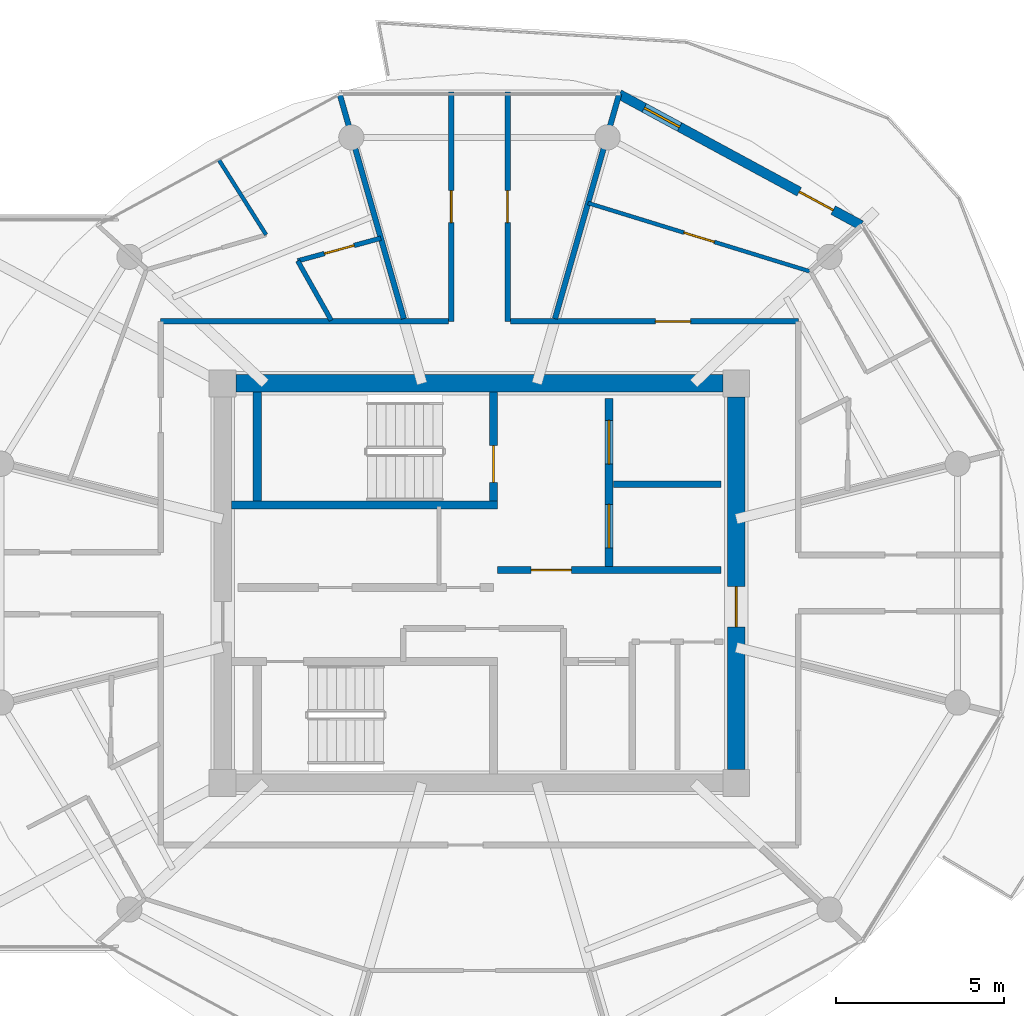
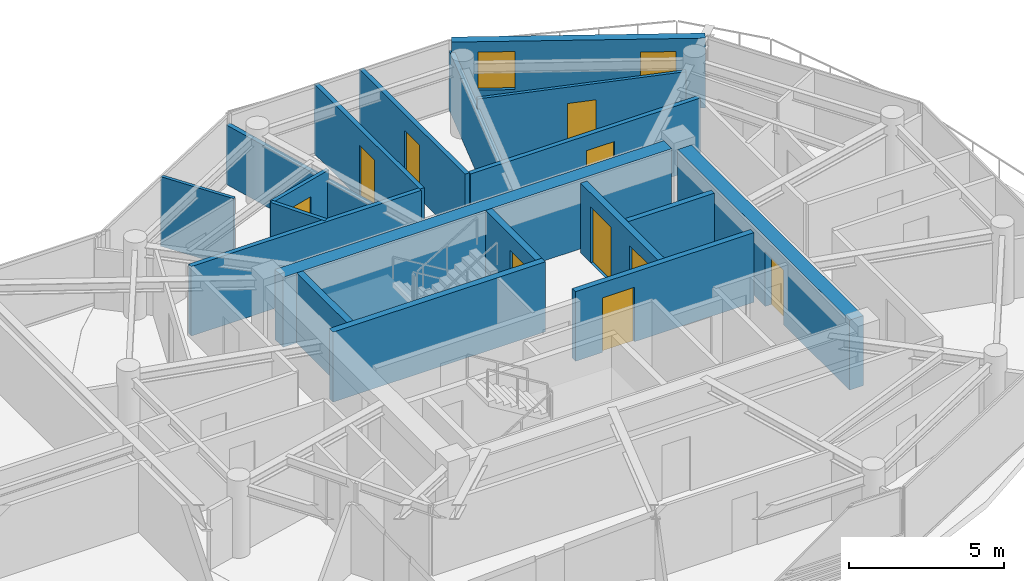
# One storey, part 18 of 23: 19 walls, 11 doors, 1 window, 12 openings.
"""IFC4 building model written with IfcOpenShell, lengths in metres."""

from ifc_helpers import new_model, si_unit, direction, frame, frame_2d, origin, place, context, subcontext, project, spatial, rectangle, extrude, source, transform, mapped, material, layer, layer_set, type_object, type_shapes, element, fill, save


model = new_model("IFC4")

# Units and contexts
model_context = context("Model", 3, precision=1e-05, world=origin(), true_north=direction((0.0, 1.0)))
body_context = subcontext(model_context, "Body", "Model", "MODEL_VIEW")
ifc_project = project(units=[si_unit("LENGTHUNIT", "METRE"), si_unit("AREAUNIT", "SQUARE_METRE"), si_unit("VOLUMEUNIT", "CUBIC_METRE"), si_unit("PLANEANGLEUNIT", "RADIAN"), si_unit("MASSUNIT", "GRAM", prefix="KILO")], contexts=[model_context])

# Site, building, storey
site_placement = place(None, origin())
site = spatial("IfcSite", under=ifc_project, at=site_placement, CompositionType="ELEMENT")
building_placement = place(site_placement, origin())
building = spatial("IfcBuilding", under=site, at=building_placement, Name="Norrkilde Senior Care Towers", CompositionType="ELEMENT")
storey_placement = place(building_placement, frame((0.0, 0.0, 220.0)))
storey = spatial("IfcBuildingStorey", under=building, at=storey_placement, Name="L68", CompositionType="ELEMENT", Elevation=220.0)

# Wall
ifc_material_1 = material(Name="Concrete C50/60", Category="concrete")
ifc_layer_1 = layer(ifc_material_1, 0.52001953125)
ifc_layer_set_1 = layer_set([ifc_layer_1], Name="Concrete C50/60")
wall_type_1 = type_object("IfcWallType", Name="Core Shear Wall Z4 520", PredefinedType="SHEAR", material=ifc_layer_set_1)
shared_shape_1 = source(origin(), body_context, "Body", "SweptSolid", [
    extrude(rectangle(XDim=14.5, YDim=0.52001953125, at=frame_2d((7.25, 0.0))), origin(), (0.0, 0.0, 1.0), 2.760009765625),
])
wall_1_placement = place(storey_placement, frame((20.75, 5.949951171875, 0.0), z_axis=(0.0, 0.0, 1.0), x_axis=(1.0, 0.0, 0.0)))
element("IfcWall", 1, at=wall_1_placement, inside=storey, type_object=wall_type_1, Name="L68 Core E North Shear Wall", PredefinedType="SHEAR", context=body_context, shape_type="MappedRepresentation", body=[
    mapped(shared_shape_1, transform((0.0, 0.0, 0.0), x_axis=(1.0, 0.0, 0.0), y_axis=(0.0, 1.0, 0.0), z_axis=(0.0, 0.0, 1.0), scale=1.0)),
])

# Wall, opening, door
shared_shape_2 = source(origin(), body_context, "Body", "SweptSolid", [
    extrude(rectangle(XDim=11.10009765625, YDim=0.52001953125, at=frame_2d((5.550048828125, 0.0))), origin(), (0.0, 0.0, 1.0), 2.760009765625),
])
type_shapes(wall_type_1, [shared_shape_1, shared_shape_2])
wall_2_placement = place(storey_placement, frame((35.64990234375, 5.550048828125, 0.0), z_axis=(0.0, 0.0, 1.0), x_axis=(0.0, -1.0, 0.0)))
wall_2 = element("IfcWall", 2, at=wall_2_placement, inside=storey, type_object=wall_type_1, Name="L68 Core E East Shear Wall", PredefinedType="SHEAR", context=body_context, shape_type="MappedRepresentation", body=[
    mapped(shared_shape_2, transform((0.0, 0.0, 0.0), x_axis=(1.0, 0.0, 0.0), y_axis=(0.0, 1.0, 0.0), z_axis=(0.0, 0.0, 1.0), scale=1.0)),
])
opening_1_placement = place(wall_2_placement, frame((5.64990234375, 0.0, 0.0)))
opening_1 = element("IfcOpeningElement", 3, at=opening_1_placement, cuts=wall_2, Name="Opening D-04", PredefinedType="OPENING", context=body_context, shape_type="SweptSolid", body=[
    extrude(rectangle(XDim=1.199951171875, YDim=2.14990234375, at=frame_2d((0.60009765625, 1.074951171875))), frame((0.0, 0.27001953125, 0.0), z_axis=(0.0, -1.0, 0.0), x_axis=(1.0, 0.0, 0.0)), (0.0, 0.0, 1.0), 0.5400390625),
])
ifc_material_2 = material(Name="Galvanised Painted Steel", Category="steel")
door_type_1 = type_object("IfcDoorType", Name="Firefighting Lobby Fire Door 1200x2150", OperationType="NOTDEFINED", PredefinedType="DOOR", material=ifc_material_2)
shared_shape_3 = source(origin(), body_context, "Body", "SweptSolid", [
    extrude(rectangle(XDim=1.199951171875, YDim=2.14990234375, at=frame_2d((0.60009765625, 1.074951171875))), frame((0.0, 0.02490234375, 0.0), z_axis=(0.0, -1.0, 0.0), x_axis=(1.0, 0.0, 0.0)), (0.0, 0.0, 1.0), 0.050048828125),
])
type_shapes(door_type_1, [shared_shape_3])
door_1_placement = place(opening_1_placement, frame((1.199951171875, 0.0, 0.0), z_axis=(0.0, 0.0, 1.0), x_axis=(-1.0, 0.0, 0.0)))
door_1 = element("IfcDoor", 4, at=door_1_placement, inside=storey, type_object=door_type_1, Name="L68 Core E East Portal Door", OperationType="SINGLE_SWING_RIGHT", OverallHeight=2.14990234375, OverallWidth=1.199951171875, PredefinedType="DOOR", context=body_context, shape_type="MappedRepresentation", body=[
    mapped(shared_shape_3, transform((0.0, 0.0, 0.0), x_axis=(1.0, 0.0, 0.0), y_axis=(0.0, 1.0, 0.0), z_axis=(0.0, 0.0, 1.0), scale=1.0)),
])
fill(opening_1, door_1)

# Wall, openings, door, window
ifc_material_3 = material(Name="Precast concrete C45/55", Category="concrete")
ifc_layer_2 = layer(ifc_material_3, 0.2900390625)
ifc_layer_set_2 = layer_set([ifc_layer_2], Name="Precast concrete C45/55")
wall_type_2 = type_object("IfcWallType", Name="Winter Garden Facade Wall 290", PredefinedType="SOLIDWALL", material=ifc_layer_set_2)
shared_shape_4 = source(origin(), body_context, "Body", "SweptSolid", [
    extrude(rectangle(XDim=8.197265625, YDim=0.2900390625, at=frame_2d((4.0986328125, 0.0))), origin(), (0.0, 0.0, 1.0), 2.760009765625),
])
type_shapes(wall_type_2, [shared_shape_4])
wall_3_placement = place(storey_placement, frame((32.161865234375, 14.566162109375, 0.0), z_axis=(0.0, 0.0, 1.0), x_axis=(0.879369910001, -0.476139224791, 0.0)))
wall_3 = element("IfcWall", 5, at=wall_3_placement, inside=storey, type_object=wall_type_2, Name="L68 Drum E Balcony Access Wall 01", PredefinedType="SOLIDWALL", context=body_context, shape_type="MappedRepresentation", body=[
    mapped(shared_shape_4, transform((0.0, 0.0, 0.0), x_axis=(1.0, 0.0, 0.0), y_axis=(0.0, 1.0, 0.0), z_axis=(0.0, 0.0, 1.0), scale=1.0)),
])
opening_2_placement = place(wall_3_placement, frame((6.10009765625, 0.0, 0.0)))
opening_2 = element("IfcOpeningElement", 6, at=opening_2_placement, cuts=wall_3, Name="Opening D-09", PredefinedType="OPENING", context=body_context, shape_type="SweptSolid", body=[
    extrude(rectangle(XDim=1.14990234375, YDim=2.25, at=frame_2d((0.574951171875, 1.125))), frame((0.0, 0.155029296875, 0.0), z_axis=(0.0, -1.0, 0.0), x_axis=(1.0, 0.0, 0.0)), (0.0, 0.0, 1.0), 0.31005859375),
])
opening_3_placement = place(wall_3_placement, frame((0.85009765625, 0.0, 0.85009765625)))
opening_3 = element("IfcOpeningElement", 7, at=opening_3_placement, cuts=wall_3, Name="Opening WN-07", PredefinedType="OPENING", context=body_context, shape_type="SweptSolid", body=[
    extrude(rectangle(XDim=1.199951171875, YDim=1.5, at=frame_2d((0.60009765625, 0.75))), frame((0.0, 0.155029296875, 0.0), z_axis=(0.0, -1.0, 0.0), x_axis=(1.0, 0.0, 0.0)), (0.0, 0.0, 1.0), 0.31005859375),
])
ifc_material_4 = material(Name="Anodised Aluminium", Category="aluminium")
door_type_2 = type_object("IfcDoorType", Name="Terrace and Balcony Glazed Door 1150x2250", OperationType="NOTDEFINED", PredefinedType="DOOR", material=ifc_material_4)
shared_shape_5 = source(origin(), body_context, "Body", "SweptSolid", [
    extrude(rectangle(XDim=1.14990234375, YDim=2.25, at=frame_2d((0.574951171875, 1.125))), frame((0.0, 0.02490234375, 0.0), z_axis=(0.0, -1.0, 0.0), x_axis=(1.0, 0.0, 0.0)), (0.0, 0.0, 1.0), 0.050048828125),
])
type_shapes(door_type_2, [shared_shape_5])
door_2_placement = place(opening_2_placement, origin())
door_2 = element("IfcDoor", 8, at=door_2_placement, inside=storey, type_object=door_type_2, Name="L68 Drum E Outdoor Terrace Door 01", OperationType="SINGLE_SWING_RIGHT", OverallHeight=2.25, OverallWidth=1.14990234375, PredefinedType="DOOR", context=body_context, shape_type="MappedRepresentation", body=[
    mapped(shared_shape_5, transform((0.0, 0.0, 0.0), x_axis=(1.0, 0.0, 0.0), y_axis=(0.0, 1.0, 0.0), z_axis=(0.0, 0.0, 1.0), scale=1.0)),
])
fill(opening_2, door_2)
ifc_material_5 = material(Name="Triple Low-E Insulated Glazing", Category="glass")
window_type = type_object("IfcWindowType", Name="Stairwell Smoke Vent Window 1200x1500", PartitioningType="SINGLE_PANEL", PredefinedType="WINDOW", material=ifc_material_5)
shared_shape_6 = source(origin(), body_context, "Body", "SweptSolid", [
    extrude(rectangle(XDim=1.199951171875, YDim=1.5, at=frame_2d((0.60009765625, 0.75))), frame((0.0, 0.030029296875, 0.0), z_axis=(0.0, -1.0, 0.0), x_axis=(1.0, 0.0, 0.0)), (0.0, 0.0, 1.0), 0.06005859375),
])
type_shapes(window_type, [shared_shape_6])
window_placement = place(opening_3_placement, origin())
window = element("IfcWindow", 9, at=window_placement, inside=storey, type_object=window_type, Name="L68 Drum E Winter Garden Window 01", OverallHeight=1.5, OverallWidth=1.199951171875, PartitioningType="SINGLE_PANEL", PredefinedType="WINDOW", context=body_context, shape_type="MappedRepresentation", body=[
    mapped(shared_shape_6, transform((0.0, 0.0, 0.0), x_axis=(1.0, 0.0, 0.0), y_axis=(0.0, 1.0, 0.0), z_axis=(0.0, 0.0, 1.0), scale=1.0)),
])
fill(opening_3, window)

# Walls
ifc_material_6 = material(Name="Concrete C45/55", Category="concrete")
ifc_layer_3 = layer(ifc_material_6, 0.239990234375)
ifc_layer_set_3 = layer_set([ifc_layer_3], Name="Concrete C45/55")
wall_type_3 = type_object("IfcWallType", Name="Shaft and Stair Enclosure Wall 240", PredefinedType="PARTITIONING", material=ifc_layer_set_3)
shared_shape_7 = source(origin(), body_context, "Body", "SweptSolid", [
    extrude(rectangle(XDim=7.929931640625, YDim=0.239990234375, at=frame_2d((3.96484375, 0.0))), origin(), (0.0, 0.0, 1.0), 2.760009765625),
])
wall_4_placement = place(storey_placement, frame((20.610107421875, 2.330078125, 0.0), z_axis=(0.0, 0.0, 1.0), x_axis=(1.0, 0.0, 0.0)))
element("IfcWall", 10, at=wall_4_placement, inside=storey, type_object=wall_type_3, Name="WL-INT-L68-E-ST1S", PredefinedType="PARTITIONING", context=body_context, shape_type="MappedRepresentation", body=[
    mapped(shared_shape_7, transform((0.0, 0.0, 0.0), x_axis=(1.0, 0.0, 0.0), y_axis=(0.0, 1.0, 0.0), z_axis=(0.0, 0.0, 1.0), scale=1.0)),
])
shared_shape_8 = source(origin(), body_context, "Body", "SweptSolid", [
    extrude(rectangle(XDim=3.239990234375, YDim=0.239990234375, at=frame_2d((1.6201171875, 0.0))), origin(), (0.0, 0.0, 1.0), 2.760009765625),
])
type_shapes(wall_type_3, [shared_shape_7, shared_shape_8])
wall_5_placement = place(storey_placement, frame((21.3798828125, 2.449951171875, 0.0), z_axis=(0.0, 0.0, 1.0), x_axis=(0.0, 1.0, 0.0)))
element("IfcWall", 11, at=wall_5_placement, inside=storey, type_object=wall_type_3, Name="WL-INT-L68-E-ST1W", PredefinedType="PARTITIONING", context=body_context, shape_type="MappedRepresentation", body=[
    mapped(shared_shape_8, transform((0.0, 0.0, 0.0), x_axis=(1.0, 0.0, 0.0), y_axis=(0.0, 1.0, 0.0), z_axis=(0.0, 0.0, 1.0), scale=1.0)),
])

# Wall, opening, door
wall_6_placement = place(storey_placement, frame((28.419921875, 2.449951171875, 0.0), z_axis=(0.0, 0.0, 1.0), x_axis=(0.0, 1.0, 0.0)))
wall_6 = element("IfcWall", 12, at=wall_6_placement, inside=storey, type_object=wall_type_3, Name="WL-INT-L68-E-ST1E", PredefinedType="PARTITIONING", context=body_context, shape_type="MappedRepresentation", body=[
    mapped(shared_shape_8, transform((0.0, 0.0, 0.0), x_axis=(1.0, 0.0, 0.0), y_axis=(0.0, 1.0, 0.0), z_axis=(0.0, 0.0, 1.0), scale=1.0)),
])
opening_4_placement = place(wall_6_placement, frame((0.550048828125, 0.0, 0.0)))
opening_4 = element("IfcOpeningElement", 13, at=opening_4_placement, cuts=wall_6, Name="Opening D-03", PredefinedType="OPENING", context=body_context, shape_type="SweptSolid", body=[
    extrude(rectangle(XDim=1.10009765625, YDim=2.14990234375, at=frame_2d((0.550048828125, 1.074951171875))), frame((0.0, 0.1298828125, 0.0), z_axis=(0.0, -1.0, 0.0), x_axis=(1.0, 0.0, 0.0)), (0.0, 0.0, 1.0), 0.260009765625),
])
door_type_3 = type_object("IfcDoorType", Name="Stairwell Protected Fire Door 1100x2150", OperationType="NOTDEFINED", PredefinedType="DOOR", material=ifc_material_2)
shared_shape_9 = source(origin(), body_context, "Body", "SweptSolid", [
    extrude(rectangle(XDim=1.10009765625, YDim=2.14990234375, at=frame_2d((0.550048828125, 1.074951171875))), frame((0.0, 0.02490234375, 0.0), z_axis=(0.0, -1.0, 0.0), x_axis=(1.0, 0.0, 0.0)), (0.0, 0.0, 1.0), 0.050048828125),
])
type_shapes(door_type_3, [shared_shape_9])
door_3_placement = place(opening_4_placement, origin())
door_3 = element("IfcDoor", 14, at=door_3_placement, inside=storey, type_object=door_type_3, Name="L68 Stair E1 Fire Door", OperationType="SINGLE_SWING_LEFT", OverallHeight=2.14990234375, OverallWidth=1.10009765625, PredefinedType="DOOR", context=body_context, shape_type="MappedRepresentation", body=[
    mapped(shared_shape_9, transform((0.0, 0.0, 0.0), x_axis=(1.0, 0.0, 0.0), y_axis=(0.0, 1.0, 0.0), z_axis=(0.0, 0.0, 1.0), scale=1.0)),
])
fill(opening_4, door_3)

# Wall, openings, doors
ifc_layer_4 = layer(ifc_material_6, 0.239990234375)
ifc_layer_set_4 = layer_set([ifc_layer_4], Name="Concrete C45/55")
wall_type_4 = type_object("IfcWallType", Name="Lift and Plant Rated Enclosure Partition 240", PredefinedType="PARTITIONING", material=ifc_layer_set_4)
shared_shape_10 = source(origin(), body_context, "Body", "SweptSolid", [
    extrude(rectangle(XDim=5.0, YDim=0.239990234375, at=frame_2d((2.5, 0.0))), origin(), (0.0, 0.0, 1.0), 2.7451171875),
])
type_shapes(wall_type_4, [shared_shape_10])
wall_7_placement = place(storey_placement, frame((31.860107421875, 0.5, 0.0), z_axis=(0.0, 0.0, 1.0), x_axis=(0.0, 1.0, 0.0)))
wall_7 = element("IfcWall", 15, at=wall_7_placement, inside=storey, type_object=wall_type_4, Name="WL-INT-L68-E-FFLE", PredefinedType="PARTITIONING", context=body_context, shape_type="MappedRepresentation", body=[
    mapped(shared_shape_10, transform((0.0, 0.0, 0.0), x_axis=(1.0, 0.0, 0.0), y_axis=(0.0, 1.0, 0.0), z_axis=(0.0, 0.0, 1.0), scale=1.0)),
])
opening_5_placement = place(wall_7_placement, frame((3.050048828125, 0.0, 0.0)))
opening_5 = element("IfcOpeningElement", 16, at=opening_5_placement, cuts=wall_7, Name="Opening LD-02", PredefinedType="OPENING", context=body_context, shape_type="SweptSolid", body=[
    extrude(rectangle(XDim=1.300048828125, YDim=2.199951171875, at=frame_2d((0.64990234375, 1.10009765625))), frame((0.0, 0.1298828125, 0.0), z_axis=(0.0, -1.0, 0.0), x_axis=(1.0, 0.0, 0.0)), (0.0, 0.0, 1.0), 0.260009765625),
])
opening_6_placement = place(wall_7_placement, frame((0.550048828125, 0.0, 0.0)))
opening_6 = element("IfcOpeningElement", 17, at=opening_6_placement, cuts=wall_7, Name="Opening LD-02", PredefinedType="OPENING", context=body_context, shape_type="SweptSolid", body=[
    extrude(rectangle(XDim=1.300048828125, YDim=2.199951171875, at=frame_2d((0.64990234375, 1.10009765625))), frame((0.0, 0.1298828125, 0.0), z_axis=(0.0, -1.0, 0.0), x_axis=(1.0, 0.0, 0.0)), (0.0, 0.0, 1.0), 0.260009765625),
])
ifc_material_7 = material(Name="Stainless Steel", Category="steel")
door_type_4 = type_object("IfcDoorType", Name="Stretcher and FFL Landing Sliding Door 1300x2200", OperationType="NOTDEFINED", PredefinedType="DOOR", material=ifc_material_7)
shared_shape_11 = source(origin(), body_context, "Body", "SweptSolid", [
    extrude(rectangle(XDim=1.300048828125, YDim=2.199951171875, at=frame_2d((0.64990234375, 1.10009765625))), frame((0.0, 0.02490234375, 0.0), z_axis=(0.0, -1.0, 0.0), x_axis=(1.0, 0.0, 0.0)), (0.0, 0.0, 1.0), 0.050048828125),
])
type_shapes(door_type_4, [shared_shape_11])
door_4_placement = place(opening_5_placement, origin())
door_4 = element("IfcDoor", 18, at=door_4_placement, inside=storey, type_object=door_type_4, Name="L68 Firefighting Lift E1 Landing Door", OperationType="SLIDING_TO_LEFT", OverallHeight=2.199951171875, OverallWidth=1.300048828125, PredefinedType="DOOR", context=body_context, shape_type="MappedRepresentation", body=[
    mapped(shared_shape_11, transform((0.0, 0.0, 0.0), x_axis=(1.0, 0.0, 0.0), y_axis=(0.0, 1.0, 0.0), z_axis=(0.0, 0.0, 1.0), scale=1.0)),
])
fill(opening_5, door_4)
door_5_placement = place(opening_6_placement, origin())
door_5 = element("IfcDoor", 19, at=door_5_placement, inside=storey, type_object=door_type_4, Name="L68 Stretcher Lift E1 Landing Door", OperationType="SLIDING_TO_RIGHT", OverallHeight=2.199951171875, OverallWidth=1.300048828125, PredefinedType="DOOR", context=body_context, shape_type="MappedRepresentation", body=[
    mapped(shared_shape_11, transform((0.0, 0.0, 0.0), x_axis=(1.0, 0.0, 0.0), y_axis=(0.0, 1.0, 0.0), z_axis=(0.0, 0.0, 1.0), scale=1.0)),
])
fill(opening_6, door_5)

# Wall
ifc_layer_5 = layer(ifc_material_6, 0.199951171875)
ifc_layer_set_5 = layer_set([ifc_layer_5], Name="Concrete C45/55")
wall_type_5 = type_object("IfcWallType", Name="Shaft Division and Plant Partition 200", PredefinedType="PARTITIONING", material=ifc_layer_set_5)
shared_shape_12 = source(origin(), body_context, "Body", "SweptSolid", [
    extrude(rectangle(XDim=3.199951171875, YDim=0.199951171875, at=frame_2d((1.60009765625, 0.0))), origin(), (0.0, 0.0, 1.0), 2.7451171875),
])
type_shapes(wall_type_5, [shared_shape_12])
wall_8_placement = place(storey_placement, frame((32.0, 2.949951171875, 0.0), z_axis=(0.0, 0.0, 1.0), x_axis=(1.0, 0.0, 0.0)))
element("IfcWall", 20, at=wall_8_placement, inside=storey, type_object=wall_type_5, Name="WL-INT-L68-E-FFLDIV", PredefinedType="PARTITIONING", context=body_context, shape_type="MappedRepresentation", body=[
    mapped(shared_shape_12, transform((0.0, 0.0, 0.0), x_axis=(1.0, 0.0, 0.0), y_axis=(0.0, 1.0, 0.0), z_axis=(0.0, 0.0, 1.0), scale=1.0)),
])

# Wall, opening, door
ifc_layer_6 = layer(ifc_material_6, 0.2099609375)
ifc_layer_set_6 = layer_set([ifc_layer_6], Name="Concrete C45/55")
wall_type_6 = type_object("IfcWallType", Name="Firefighting Lobby Wall 210", PredefinedType="PARTITIONING", material=ifc_layer_set_6)
shared_shape_13 = source(origin(), body_context, "Body", "SweptSolid", [
    extrude(rectangle(XDim=6.659912109375, YDim=0.2099609375, at=frame_2d((3.330078125, 0.0))), origin(), (0.0, 0.0, 1.0), 2.7451171875),
])
type_shapes(wall_type_6, [shared_shape_13])
wall_9_placement = place(storey_placement, frame((28.5400390625, 0.389892578125, 0.0), z_axis=(0.0, 0.0, 1.0), x_axis=(1.0, 0.0, 0.0)))
wall_9 = element("IfcWall", 21, at=wall_9_placement, inside=storey, type_object=wall_type_6, Name="WL-INT-L68-E-FFLS", PredefinedType="PARTITIONING", context=body_context, shape_type="MappedRepresentation", body=[
    mapped(shared_shape_13, transform((0.0, 0.0, 0.0), x_axis=(1.0, 0.0, 0.0), y_axis=(0.0, 1.0, 0.0), z_axis=(0.0, 0.0, 1.0), scale=1.0)),
])
opening_7_placement = place(wall_9_placement, frame((1.0, 0.0, 0.0)))
opening_7 = element("IfcOpeningElement", 22, at=opening_7_placement, cuts=wall_9, Name="Opening D-04", PredefinedType="OPENING", context=body_context, shape_type="SweptSolid", body=[
    extrude(rectangle(XDim=1.199951171875, YDim=2.14990234375, at=frame_2d((0.60009765625, 1.074951171875))), frame((0.0, 0.114990234375, 0.0), z_axis=(0.0, -1.0, 0.0), x_axis=(1.0, 0.0, 0.0)), (0.0, 0.0, 1.0), 0.22998046875),
])
door_6_placement = place(opening_7_placement, frame((1.199951171875, 0.0, 0.0), z_axis=(0.0, 0.0, 1.0), x_axis=(-1.0, 0.0, 0.0)))
door_6 = element("IfcDoor", 23, at=door_6_placement, inside=storey, type_object=door_type_1, Name="L68 Firefighting Lobby E Door", OperationType="SINGLE_SWING_LEFT", OverallHeight=2.14990234375, OverallWidth=1.199951171875, PredefinedType="DOOR", context=body_context, shape_type="MappedRepresentation", body=[
    mapped(shared_shape_3, transform((0.0, 0.0, 0.0), x_axis=(1.0, 0.0, 0.0), y_axis=(0.0, 1.0, 0.0), z_axis=(0.0, 0.0, 1.0), scale=1.0)),
])
fill(opening_7, door_6)

# Wall
ifc_material_8 = material(Name="Gypsum Acoustic Board")
ifc_layer_7 = layer(ifc_material_8, 0.1650390625)
ifc_layer_set_7 = layer_set([ifc_layer_7], Name="Gypsum Acoustic Board")
wall_type_7 = type_object("IfcWallType", Name="Corridor Rated Partition 165", PredefinedType="PARTITIONING", material=ifc_layer_set_7)
shared_shape_14 = source(origin(), body_context, "Body", "SweptSolid", [
    extrude(rectangle(XDim=8.580078125, YDim=0.1650390625, at=frame_2d((4.2900390625, 0.0))), origin(), (0.0, 0.0, 1.0), 2.7451171875),
])
wall_10_placement = place(storey_placement, frame((18.5, 7.800048828125, 0.0), z_axis=(0.0, 0.0, 1.0), x_axis=(1.0, 0.0, 0.0)))
element("IfcWall", 24, at=wall_10_placement, inside=storey, type_object=wall_type_7, Name="WL-INT-L68-E-CRW-N-0", PredefinedType="PARTITIONING", context=body_context, shape_type="MappedRepresentation", body=[
    mapped(shared_shape_14, transform((0.0, 0.0, 0.0), x_axis=(1.0, 0.0, 0.0), y_axis=(0.0, 1.0, 0.0), z_axis=(0.0, 0.0, 1.0), scale=1.0)),
])

# Wall, opening, door
wall_11_placement = place(storey_placement, frame((28.919921875, 7.800048828125, 0.0), z_axis=(0.0, 0.0, 1.0), x_axis=(1.0, 0.0, 0.0)))
wall_11 = element("IfcWall", 25, at=wall_11_placement, inside=storey, type_object=wall_type_7, Name="WL-INT-L68-E-CRW-N-1", PredefinedType="PARTITIONING", context=body_context, shape_type="MappedRepresentation", body=[
    mapped(shared_shape_14, transform((0.0, 0.0, 0.0), x_axis=(1.0, 0.0, 0.0), y_axis=(0.0, 1.0, 0.0), z_axis=(0.0, 0.0, 1.0), scale=1.0)),
])
opening_8_placement = place(wall_11_placement, frame((4.31982421875, 0.0, 0.0)))
opening_8 = element("IfcOpeningElement", 26, at=opening_8_placement, cuts=wall_11, Name="Opening D-06", PredefinedType="OPENING", context=body_context, shape_type="SweptSolid", body=[
    extrude(rectangle(XDim=1.050048828125, YDim=2.14990234375, at=frame_2d((0.52490234375, 1.074951171875))), frame((0.0, 0.092529296875, 0.0), z_axis=(0.0, -1.0, 0.0), x_axis=(1.0, 0.0, 0.0)), (0.0, 0.0, 1.0), 0.18505859375),
])
ifc_material_9 = material(Name="Nordic Ash Timber", Category="wood")
door_type_5 = type_object("IfcDoorType", Name="Apartment Entrance Fire Door 1050x2150", OperationType="NOTDEFINED", PredefinedType="DOOR", material=ifc_material_9)
shared_shape_15 = source(origin(), body_context, "Body", "SweptSolid", [
    extrude(rectangle(XDim=1.050048828125, YDim=2.14990234375, at=frame_2d((0.52490234375, 1.074951171875))), frame((0.0, 0.02490234375, 0.0), z_axis=(0.0, -1.0, 0.0), x_axis=(1.0, 0.0, 0.0)), (0.0, 0.0, 1.0), 0.050048828125),
])
type_shapes(door_type_5, [shared_shape_15])
door_7_placement = place(opening_8_placement, frame((1.050048828125, 0.0, 0.0), z_axis=(0.0, 0.0, 1.0), x_axis=(-1.0, 0.0, 0.0)))
door_7 = element("IfcDoor", 27, at=door_7_placement, inside=storey, type_object=door_type_5, Name="Apartment 68A Entrance Door", OperationType="SINGLE_SWING_LEFT", OverallHeight=2.14990234375, OverallWidth=1.050048828125, PredefinedType="DOOR", context=body_context, shape_type="MappedRepresentation", body=[
    mapped(shared_shape_15, transform((0.0, 0.0, 0.0), x_axis=(1.0, 0.0, 0.0), y_axis=(0.0, 1.0, 0.0), z_axis=(0.0, 0.0, 1.0), scale=1.0)),
])
fill(opening_8, door_7)

# Walls
shared_shape_16 = source(origin(), body_context, "Body", "SweptSolid", [
    extrude(rectangle(XDim=6.973876953125, YDim=0.1650390625, at=frame_2d((3.48681640625, 0.0))), origin(), (0.0, 0.0, 1.0), 2.344970703125),
])
for number, where, z_axis, x_axis, name in (
    (28, (30.251220703125, 7.8798828125, 0.0), (0.0, 0.0, 1.0), (0.274707256801, 0.961527910703, 0.0), "WL-INT-L68-E-DEM-02-0"),
    (29, (25.748779296875, 7.8798828125, 0.0), (0.0, 0.0, 1.0), (-0.274707256801, 0.961527910703, 0.0), "WL-INT-L68-E-DEM-03-0"),
):
    element("IfcWall", number, at=place(storey_placement, frame(where, z_axis=z_axis, x_axis=x_axis)), inside=storey, type_object=wall_type_7, Name=name, PredefinedType="PARTITIONING", context=body_context, shape_type="MappedRepresentation", body=[
        mapped(shared_shape_16, transform((0.0, 0.0, 0.0), x_axis=(1.0, 0.0, 0.0), y_axis=(0.0, 1.0, 0.0), z_axis=(0.0, 0.0, 1.0), scale=1.0)),
    ])

# Wall, opening, door
shared_shape_17 = source(origin(), body_context, "Body", "SweptSolid", [
    extrude(rectangle(XDim=6.83544921875, YDim=0.1650390625, at=frame_2d((3.417724609375, 0.0))), origin(), (0.0, 0.0, 1.0), 2.7451171875),
])
type_shapes(wall_type_7, [shared_shape_14, shared_shape_16, shared_shape_17])
wall_12_placement = place(storey_placement, frame((27.159912109375, 7.800048828125, 0.0), z_axis=(0.0, 0.0, 1.0), x_axis=(0.0, 1.0, 0.0)))
wall_12 = element("IfcWall", 30, at=wall_12_placement, inside=storey, type_object=wall_type_7, Name="WL-INT-L68-E-SPK-N1-0", PredefinedType="PARTITIONING", context=body_context, shape_type="MappedRepresentation", body=[
    mapped(shared_shape_17, transform((0.0, 0.0, 0.0), x_axis=(1.0, 0.0, 0.0), y_axis=(0.0, 1.0, 0.0), z_axis=(0.0, 0.0, 1.0), scale=1.0)),
])
opening_9_placement = place(wall_12_placement, frame((2.942626953125, 0.0, 0.0)))
opening_9 = element("IfcOpeningElement", 31, at=opening_9_placement, cuts=wall_12, Name="Opening D-07", PredefinedType="OPENING", context=body_context, shape_type="SweptSolid", body=[
    extrude(rectangle(XDim=0.949951171875, YDim=2.10009765625, at=frame_2d((0.47509765625, 1.050048828125))), frame((0.0, 0.092529296875, 0.0), z_axis=(0.0, -1.0, 0.0), x_axis=(1.0, 0.0, 0.0)), (0.0, 0.0, 1.0), 0.18505859375),
])
door_type_6 = type_object("IfcDoorType", Name="Internal Suite Bedroom Door 950x2100", OperationType="NOTDEFINED", PredefinedType="DOOR", material=ifc_material_9)
shared_shape_18 = source(origin(), body_context, "Body", "SweptSolid", [
    extrude(rectangle(XDim=0.949951171875, YDim=2.10009765625, at=frame_2d((0.47509765625, 1.050048828125))), frame((0.0, 0.02490234375, 0.0), z_axis=(0.0, -1.0, 0.0), x_axis=(1.0, 0.0, 0.0)), (0.0, 0.0, 1.0), 0.050048828125),
])
type_shapes(door_type_6, [shared_shape_18])
door_8_placement = place(opening_9_placement, frame((0.949951171875, 0.0, 0.0), z_axis=(0.0, 0.0, 1.0), x_axis=(-1.0, 0.0, 0.0)))
door_8 = element("IfcDoor", 32, at=door_8_placement, inside=storey, type_object=door_type_6, Name="L68 Sun Reading Lounge 3 Door", OperationType="SINGLE_SWING_RIGHT", OverallHeight=2.10009765625, OverallWidth=0.949951171875, PredefinedType="DOOR", context=body_context, shape_type="MappedRepresentation", body=[
    mapped(shared_shape_18, transform((0.0, 0.0, 0.0), x_axis=(1.0, 0.0, 0.0), y_axis=(0.0, 1.0, 0.0), z_axis=(0.0, 0.0, 1.0), scale=1.0)),
])
fill(opening_9, door_8)

wall_13_placement = place(storey_placement, frame((28.840087890625, 14.635498046875, 0.0), z_axis=(0.0, 0.0, 1.0), x_axis=(0.0, -1.0, 0.0)))
wall_13 = element("IfcWall", 33, at=wall_13_placement, inside=storey, type_object=wall_type_7, Name="WL-INT-L68-E-SPK-N2-0", PredefinedType="PARTITIONING", context=body_context, shape_type="MappedRepresentation", body=[
    mapped(shared_shape_17, transform((0.0, 0.0, 0.0), x_axis=(1.0, 0.0, 0.0), y_axis=(0.0, 1.0, 0.0), z_axis=(0.0, 0.0, 1.0), scale=1.0)),
])
opening_10_placement = place(wall_13_placement, frame((2.942626953125, 0.0, 0.0)))
opening_10 = element("IfcOpeningElement", 34, at=opening_10_placement, cuts=wall_13, Name="Opening D-07", PredefinedType="OPENING", context=body_context, shape_type="SweptSolid", body=[
    extrude(rectangle(XDim=0.949951171875, YDim=2.10009765625, at=frame_2d((0.47509765625, 1.050048828125))), frame((0.0, 0.092529296875, 0.0), z_axis=(0.0, -1.0, 0.0), x_axis=(1.0, 0.0, 0.0)), (0.0, 0.0, 1.0), 0.18505859375),
])
door_9_placement = place(opening_10_placement, frame((0.949951171875, 0.0, 0.0), z_axis=(0.0, 0.0, 1.0), x_axis=(-1.0, 0.0, 0.0)))
door_9 = element("IfcDoor", 35, at=door_9_placement, inside=storey, type_object=door_type_6, Name="L68 Sun Reading Lounge 4 Door", OperationType="SINGLE_SWING_LEFT", OverallHeight=2.10009765625, OverallWidth=0.949951171875, PredefinedType="DOOR", context=body_context, shape_type="MappedRepresentation", body=[
    mapped(shared_shape_18, transform((0.0, 0.0, 0.0), x_axis=(1.0, 0.0, 0.0), y_axis=(0.0, 1.0, 0.0), z_axis=(0.0, 0.0, 1.0), scale=1.0)),
])
fill(opening_10, door_9)

# Wall
ifc_layer_8 = layer(ifc_material_8, 0.139892578125)
ifc_layer_set_8 = layer_set([ifc_layer_8], Name="Gypsum Acoustic Board")
wall_type_8 = type_object("IfcWallType", Name="En-suite Wet Room Wall 140", PredefinedType="PARTITIONING", material=ifc_layer_set_8)
shared_shape_19 = source(origin(), body_context, "Body", "SweptSolid", [
    extrude(rectangle(XDim=2.035400390625, YDim=0.139892578125, at=frame_2d((1.017578125, 0.0))), origin(), (0.0, 0.0, 1.0), 2.7451171875),
])
wall_14_placement = place(storey_placement, frame((23.5849609375, 7.830078125, 0.0), z_axis=(0.0, 0.0, 1.0), x_axis=(-0.491092509169, 0.871107425888, 0.0)))
element("IfcWall", 36, at=wall_14_placement, inside=storey, type_object=wall_type_8, Name="WL-INT-L68-E-UBTS-03", PredefinedType="PARTITIONING", context=body_context, shape_type="MappedRepresentation", body=[
    mapped(shared_shape_19, transform((0.0, 0.0, 0.0), x_axis=(1.0, 0.0, 0.0), y_axis=(0.0, 1.0, 0.0), z_axis=(0.0, 0.0, 1.0), scale=1.0)),
])

# Wall, opening, door
ifc_layer_9 = layer(ifc_material_8, 0.114990234375)
ifc_layer_set_9 = layer_set([ifc_layer_9], Name="Gypsum Acoustic Board")
wall_type_9 = type_object("IfcWallType", Name="Internal Room Partition 115", PredefinedType="PARTITIONING", material=ifc_layer_set_9)
shared_shape_20 = source(origin(), body_context, "Body", "SweptSolid", [
    extrude(rectangle(XDim=6.919189453125, YDim=0.114990234375, at=frame_2d((3.45947265625, 0.0))), origin(), (0.0, 0.0, 1.0), 2.7451171875),
])
wall_15_placement = place(storey_placement, frame((37.8486328125, 9.287109375, 0.0), z_axis=(0.0, 0.0, 1.0), x_axis=(-0.955678249072, 0.294413118341, 0.0)))
wall_15 = element("IfcWall", 37, at=wall_15_placement, inside=storey, type_object=wall_type_9, Name="WL-INT-L68-E-UBC-00-1", PredefinedType="PARTITIONING", context=body_context, shape_type="MappedRepresentation", body=[
    mapped(shared_shape_20, transform((0.0, 0.0, 0.0), x_axis=(1.0, 0.0, 0.0), y_axis=(0.0, 1.0, 0.0), z_axis=(0.0, 0.0, 1.0), scale=1.0)),
])
opening_11_placement = place(wall_15_placement, frame((2.984619140625, 0.0, 0.0)))
opening_11 = element("IfcOpeningElement", 38, at=opening_11_placement, cuts=wall_15, Name="Opening D-07", PredefinedType="OPENING", context=body_context, shape_type="SweptSolid", body=[
    extrude(rectangle(XDim=0.949951171875, YDim=2.10009765625, at=frame_2d((0.47509765625, 1.050048828125))), frame((0.0, 0.0673828125, 0.0), z_axis=(0.0, -1.0, 0.0), x_axis=(1.0, 0.0, 0.0)), (0.0, 0.0, 1.0), 0.135009765625),
])
door_10_placement = place(opening_11_placement, origin())
door_10 = element("IfcDoor", 39, at=door_10_placement, inside=storey, type_object=door_type_6, Name="Apartment 68A Bedroom 1 Door", OperationType="SINGLE_SWING_RIGHT", OverallHeight=2.10009765625, OverallWidth=0.949951171875, PredefinedType="DOOR", context=body_context, shape_type="MappedRepresentation", body=[
    mapped(shared_shape_18, transform((0.0, 0.0, 0.0), x_axis=(1.0, 0.0, 0.0), y_axis=(0.0, 1.0, 0.0), z_axis=(0.0, 0.0, 1.0), scale=1.0)),
])
fill(opening_11, door_10)

shared_shape_21 = source(origin(), body_context, "Body", "SweptSolid", [
    extrude(rectangle(XDim=2.567626953125, YDim=0.139892578125, at=frame_2d((1.28369140625, 0.0))), origin(), (0.0, 0.0, 1.0), 2.7451171875),
])
type_shapes(wall_type_8, [shared_shape_19, shared_shape_21])
wall_16_placement = place(storey_placement, frame((22.58544921875, 9.60302734375, 0.0), z_axis=(0.0, 0.0, 1.0), x_axis=(0.964796726679, 0.262996722775, 0.0)))
wall_16 = element("IfcWall", 40, at=wall_16_placement, inside=storey, type_object=wall_type_8, Name="WL-INT-L68-E-UBTF-03", PredefinedType="PARTITIONING", context=body_context, shape_type="MappedRepresentation", body=[
    mapped(shared_shape_21, transform((0.0, 0.0, 0.0), x_axis=(1.0, 0.0, 0.0), y_axis=(0.0, 1.0, 0.0), z_axis=(0.0, 0.0, 1.0), scale=1.0)),
])
opening_12_placement = place(wall_16_placement, frame((0.823974609375, 0.0, 0.0)))
opening_12 = element("IfcOpeningElement", 41, at=opening_12_placement, cuts=wall_16, Name="Opening D-08", PredefinedType="OPENING", context=body_context, shape_type="SweptSolid", body=[
    extrude(rectangle(XDim=0.919921875, YDim=2.10009765625, at=frame_2d((0.4599609375, 1.050048828125))), frame((0.0, 0.079833984375, 0.0), z_axis=(0.0, -1.0, 0.0), x_axis=(1.0, 0.0, 0.0)), (0.0, 0.0, 1.0), 0.159912109375),
])
door_type_7 = type_object("IfcDoorType", Name="Accessible Wet Room Door 920x2100", OperationType="NOTDEFINED", PredefinedType="DOOR", material=ifc_material_9)
shared_shape_22 = source(origin(), body_context, "Body", "SweptSolid", [
    extrude(rectangle(XDim=0.919921875, YDim=2.10009765625, at=frame_2d((0.4599609375, 1.050048828125))), frame((0.0, 0.02490234375, 0.0), z_axis=(0.0, -1.0, 0.0), x_axis=(1.0, 0.0, 0.0)), (0.0, 0.0, 1.0), 0.050048828125),
])
type_shapes(door_type_7, [shared_shape_22])
door_11_placement = place(opening_12_placement, origin())
door_11 = element("IfcDoor", 42, at=door_11_placement, inside=storey, type_object=door_type_7, Name="Apartment 68B Bathroom Door", OperationType="SINGLE_SWING_LEFT", OverallHeight=2.10009765625, OverallWidth=0.919921875, PredefinedType="DOOR", context=body_context, shape_type="MappedRepresentation", body=[
    mapped(shared_shape_22, transform((0.0, 0.0, 0.0), x_axis=(1.0, 0.0, 0.0), y_axis=(0.0, 1.0, 0.0), z_axis=(0.0, 0.0, 1.0), scale=1.0)),
])
fill(opening_12, door_11)

# Wall
shared_shape_23 = source(origin(), body_context, "Body", "SweptSolid", [
    extrude(rectangle(XDim=2.66162109375, YDim=0.114990234375, at=frame_2d((1.330810546875, 0.0))), origin(), (0.0, 0.0, 1.0), 2.7451171875),
])
type_shapes(wall_type_9, [shared_shape_20, shared_shape_23])
wall_17_placement = place(storey_placement, frame((21.64453125, 10.380126953125, 0.0), z_axis=(0.0, 0.0, 1.0), x_axis=(-0.533547747092, 0.845769946009, 0.0)))
element("IfcWall", 43, at=wall_17_placement, inside=storey, type_object=wall_type_9, Name="WL-INT-L68-E-UKTS-03", PredefinedType="PARTITIONING", context=body_context, shape_type="MappedRepresentation", body=[
    mapped(shared_shape_23, transform((0.0, 0.0, 0.0), x_axis=(1.0, 0.0, 0.0), y_axis=(0.0, 1.0, 0.0), z_axis=(0.0, 0.0, 1.0), scale=1.0)),
])

save(model, "model.ifc")
